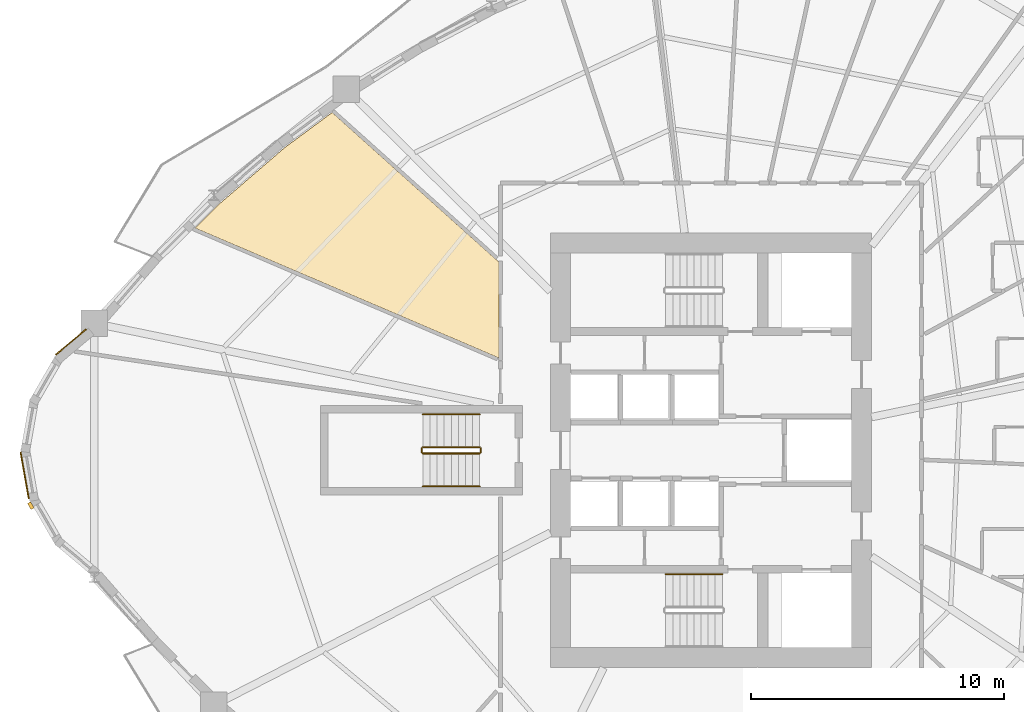
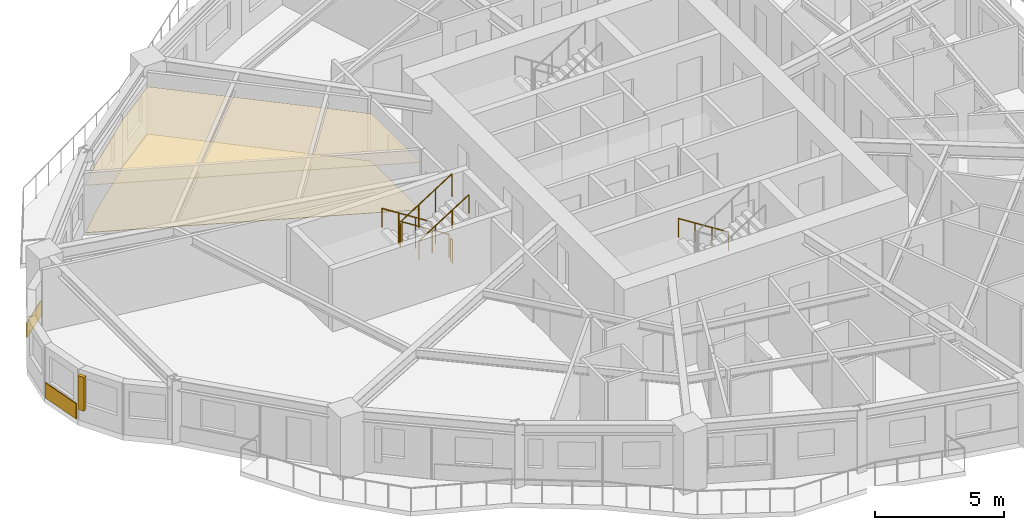
# One storey, part 11 of 14: 7 railings, 4 coverings, 1 shading device.
"""IFC4 building model written with IfcOpenShell, lengths in metres."""

import ifcopenshell
import ifcopenshell.guid

model = None  # the IFC model being written
_history = None  # IfcOwnerHistory: only IFC2X3 demands one
_inside = {}  # id of a spatial element -> (the spatial element, [elements in it])
_under = {}  # id of a project, library or spatial element -> (it, [spatial elements below it])
_declared = {}  # id of a project -> (the project, [libraries it declares])
_typed = {}  # id of a type object -> (the type object, [elements of that type])
_made_of = {}  # id of a material, layer set ... -> (it, [elements and type objects made of it])


def new_model(schema):
    """Start an empty IFC model of exactly this schema.

    Asked for "IFC4X3", IfcOpenShell would pick the latest addendum, in which some entities
    have other attributes; the version numbers below select the first issue.
    IFC2X3 requires an IfcOwnerHistory on every rooted entity: one is made here for all.
    """
    global model, _history
    if schema == "IFC4X3":
        model = ifcopenshell.file(schema_version=(4, 3, 0, 0))
    else:
        model = ifcopenshell.file(schema=schema)
    _inside.clear()
    _under.clear()
    _declared.clear()
    _typed.clear()
    _made_of.clear()
    _history = None
    if model.schema == "IFC2X3":
        org = make("IfcOrganization", Name="unknown")
        user = make(
            "IfcPersonAndOrganization",
            ThePerson=make("IfcPerson", FamilyName="unknown"),
            TheOrganization=org,
        )
        app = make(
            "IfcApplication",
            ApplicationDeveloper=org,
            Version="unknown",
            ApplicationFullName="unknown",
            ApplicationIdentifier="unknown",
        )
        _history = make(
            "IfcOwnerHistory",
            OwningUser=user,
            OwningApplication=app,
            ChangeAction="ADDED",
            CreationDate=0,
        )
    return model


def make(cls, **values):
    """One entity of the class cls with the attributes given. An attribute that is None is left unset."""
    return model.create_entity(
        cls, **{name: value for name, value in values.items() if value is not None}
    )


def rooted(cls, **values):
    """An entity with a GlobalId (a new one), such as an element, a storey or a relation."""
    return make(cls, GlobalId=ifcopenshell.guid.new(), OwnerHistory=_history, **values)


def si_unit(unit_type, name, prefix=None):
    """IfcSIUnit, for example si_unit("LENGTHUNIT", "METRE", prefix="MILLI")."""
    return make("IfcSIUnit", UnitType=unit_type, Prefix=prefix, Name=name)


def assignment(units):
    """IfcUnitAssignment: the units of a project."""
    return None if units is None else make("IfcUnitAssignment", Units=units)


def point(xyz):
    """IfcCartesianPoint."""
    return None if xyz is None else make("IfcCartesianPoint", Coordinates=xyz)


def direction(xyz):
    """IfcDirection."""
    return None if xyz is None else make("IfcDirection", DirectionRatios=xyz)


def frame(location, z_axis=None, x_axis=None):
    """IfcAxis2Placement3D, a coordinate frame: its origin and axes. An axis left out is left unset."""
    return make(
        "IfcAxis2Placement3D",
        Location=point(location),
        Axis=direction(z_axis),
        RefDirection=direction(x_axis),
    )


def frame_2d(location, x_axis=None):
    """IfcAxis2Placement2D, a coordinate frame in the plane: its origin and x axis."""
    return make(
        "IfcAxis2Placement2D", Location=point(location), RefDirection=direction(x_axis)
    )


def origin():
    """The frame at (0, 0, 0) with its axes left unset."""
    return frame((0.0, 0.0, 0.0))


def origin_2d():
    """The frame at (0, 0) in the plane with its x axis left unset."""
    return frame_2d((0.0, 0.0))


def place(relative_to, where):
    """IfcLocalPlacement: puts the frame where relative to a parent placement (None: the world)."""
    return make(
        "IfcLocalPlacement", PlacementRelTo=relative_to, RelativePlacement=where
    )


def context(
    kind, dimensions, precision=None, world=None, true_north=None, identifier=None
):
    """IfcGeometricRepresentationContext, for example the 3D "Model" context."""
    return make(
        "IfcGeometricRepresentationContext",
        ContextIdentifier=identifier,
        ContextType=kind,
        CoordinateSpaceDimension=dimensions,
        Precision=precision,
        WorldCoordinateSystem=world,
        TrueNorth=true_north,
    )


def subcontext(parent, identifier, kind, view, scale=None):
    """IfcGeometricRepresentationSubContext, for example "Body" below "Model"."""
    return make(
        "IfcGeometricRepresentationSubContext",
        ContextIdentifier=identifier,
        ContextType=kind,
        ParentContext=parent,
        TargetScale=scale,
        TargetView=view,
    )


def project(units=None, contexts=None):
    """IfcProject with its units and contexts."""
    return rooted(
        "IfcProject",
        Name="project",
        RepresentationContexts=contexts,
        UnitsInContext=assignment(units),
    )


def spatial(cls, under=None, at=None, **own):
    """A site, building, storey or space (cls), placed at a placement, below another one or the project."""
    s = rooted(cls, ObjectPlacement=at, **own)
    if under is not None:
        _under.setdefault(under.id(), (under, []))[1].append(s)
    return s


def polyline(points):
    """IfcPolyline through the points."""
    return make("IfcPolyline", Points=[point(p) for p in points])


def profile(cls, at=None, kind="AREA", **sizes):
    """A parametric profile (cls). Its sizes go by their IFC names, for example OverallWidth=200.0."""
    return make(cls, ProfileType=kind, Position=at, **sizes)


def rectangle(**sizes):
    """IfcRectangleProfileDef."""
    return profile("IfcRectangleProfileDef", **sizes)


def circle(**sizes):
    """IfcCircleProfileDef."""
    return profile("IfcCircleProfileDef", **sizes)


def outline(outer, holes=None, kind="AREA"):
    """IfcArbitraryClosedProfileDef: a profile drawn as a closed curve; with holes, ...WithVoids."""
    if holes is None:
        return make("IfcArbitraryClosedProfileDef", ProfileType=kind, OuterCurve=outer)
    return make(
        "IfcArbitraryProfileDefWithVoids",
        ProfileType=kind,
        OuterCurve=outer,
        InnerCurves=holes,
    )


def extrude(swept, where, along, depth):
    """IfcExtrudedAreaSolid: the profile swept, set in the frame where, extruded along a direction by depth."""
    return make(
        "IfcExtrudedAreaSolid",
        SweptArea=swept,
        Position=where,
        ExtrudedDirection=direction(along),
        Depth=depth,
    )


def shape(context_of_items, identifier, shape_type, items):
    """IfcShapeRepresentation: the items that make up one representation, for example the "Body"."""
    return make(
        "IfcShapeRepresentation",
        ContextOfItems=context_of_items,
        RepresentationIdentifier=identifier,
        RepresentationType=shape_type,
        Items=items,
    )


def source(mapping_origin, context_of_items, identifier, shape_type, items):
    """IfcRepresentationMap: a shape defined once, which mapped items show again and again."""
    return make(
        "IfcRepresentationMap",
        MappingOrigin=mapping_origin,
        MappedRepresentation=shape(context_of_items, identifier, shape_type, items),
    )


def transform(
    local_origin,
    x_axis=None,
    y_axis=None,
    z_axis=None,
    scale=None,
    scale2=None,
    scale3=None,
    uniform=True,
):
    """IfcCartesianTransformationOperator3D, or its non-uniform kind. x_axis, y_axis, z_axis: its Axis1, 2, 3."""
    if uniform:
        return make(
            "IfcCartesianTransformationOperator3D",
            Axis1=direction(x_axis),
            Axis2=direction(y_axis),
            LocalOrigin=point(local_origin),
            Scale=scale,
            Axis3=direction(z_axis),
        )
    return make(
        "IfcCartesianTransformationOperator3DnonUniform",
        Axis1=direction(x_axis),
        Axis2=direction(y_axis),
        LocalOrigin=point(local_origin),
        Scale=scale,
        Axis3=direction(z_axis),
        Scale2=scale2,
        Scale3=scale3,
    )


def mapped(mapping_source, mapping_target):
    """IfcMappedItem: shows the shape of a source again, moved by a transform."""
    return make(
        "IfcMappedItem", MappingSource=mapping_source, MappingTarget=mapping_target
    )


def material(Name=None, Category=None):
    """IfcMaterial."""
    return make("IfcMaterial", Name=Name, Category=Category)


def layer(
    of_material, thickness, ventilated=None, Name=None, Category=None, Priority=None
):
    """IfcMaterialLayer: one layer of a wall or slab, of a material (None: an air gap)."""
    return make(
        "IfcMaterialLayer",
        Material=of_material,
        LayerThickness=thickness,
        IsVentilated=ventilated,
        Name=Name,
        Category=Category,
        Priority=Priority,
    )


def layer_set(layers, Name=None):
    """IfcMaterialLayerSet."""
    return make("IfcMaterialLayerSet", MaterialLayers=layers, LayerSetName=Name)


def made_of(thing, what):
    """Note that an element or type object is made of a material, layer set ...; save() writes the relation."""
    if what is not None:
        _made_of.setdefault(what.id(), (what, []))[1].append(thing)
    return thing


def type_object(cls, material=None, **own):
    """A type object (cls), such as IfcWallType, which elements share."""
    return made_of(rooted(cls, **own), material)


def element(
    cls,
    number,
    at=None,
    inside=None,
    cuts=None,
    type_object=None,
    material=None,
    context=None,
    identifier="Body",
    shape_type=None,
    held_by="IfcProductDefinitionShape",
    body=None,
    shapes=None,
    **own,
):
    """One element of the class cls, such as IfcWall. Its Tag is "e" and its number.

    at: its placement. inside: the storey or other place that contains it. cuts: it is an
    opening in that element (IfcRelVoidsElement). A single representation is given by context,
    identifier, shape_type and body (its items); several are given by shapes. held_by: the class
    of the entity that holds the representations. save() writes the other relations.
    """
    e = rooted(cls, Tag="e%d" % number, ObjectPlacement=at, **own)
    if body is not None:
        shapes = [shape(context, identifier, shape_type, body)]
    if shapes is not None:
        e.Representation = make(held_by, Representations=shapes)
    if inside is not None:
        _inside.setdefault(inside.id(), (inside, []))[1].append(e)
    if cuts is not None:
        rooted(
            "IfcRelVoidsElement", RelatingBuildingElement=cuts, RelatedOpeningElement=e
        )
    if type_object is not None:
        _typed.setdefault(type_object.id(), (type_object, []))[1].append(e)
    return made_of(e, material)


def aggregate(whole, parts):
    """IfcRelAggregates: a whole, such as a stair, and the parts it consists of."""
    return rooted("IfcRelAggregates", RelatingObject=whole, RelatedObjects=parts)


def save(model, path):
    """Write the relations noted so far, then the file.

    IfcRelAggregates (storeys below a building ...), IfcRelContainedInSpatialStructure (elements
    in a storey), IfcRelDefinesByType, IfcRelAssociatesMaterial and IfcRelDeclares: one each for
    every whole, place, type object, material and project.
    """
    for whole, parts in _under.values():
        aggregate(whole, parts)
    for where, things in _inside.values():
        rooted(
            "IfcRelContainedInSpatialStructure",
            RelatedElements=things,
            RelatingStructure=where,
        )
    for kind, things in _typed.values():
        rooted("IfcRelDefinesByType", RelatedObjects=things, RelatingType=kind)
    for what, things in _made_of.values():
        rooted("IfcRelAssociatesMaterial", RelatedObjects=things, RelatingMaterial=what)
    for by, libraries in _declared.values():
        rooted("IfcRelDeclares", RelatingContext=by, RelatedDefinitions=libraries)
    model.write(path)


model = new_model("IFC4")

# Units and contexts
model_context = context("Model", 3, precision=1e-05, world=origin(), true_north=direction((0.0, 1.0)))
body_context = subcontext(model_context, "Body", "Model", "MODEL_VIEW")
ifc_project = project(units=[si_unit("LENGTHUNIT", "METRE"), si_unit("AREAUNIT", "SQUARE_METRE"), si_unit("VOLUMEUNIT", "CUBIC_METRE"), si_unit("PLANEANGLEUNIT", "RADIAN"), si_unit("MASSUNIT", "GRAM", prefix="KILO")], contexts=[model_context])

# Site, building, storey
site_placement = place(None, origin())
site = spatial("IfcSite", under=ifc_project, at=site_placement, CompositionType="ELEMENT")
building_placement = place(site_placement, origin())
building = spatial("IfcBuilding", under=site, at=building_placement, Name="Qafzar Sky-Pleat Residences", CompositionType="ELEMENT")
storey_placement = place(building_placement, frame((0.0, 0.0, 20.60009765625)))
storey = spatial("IfcBuildingStorey", under=building, at=storey_placement, Name="L05", CompositionType="ELEMENT", Elevation=20.60009765625)

# Coverings
ifc_material_1 = material(Name="Perforated acoustic gypsum board ceiling")
ifc_layer_1 = layer(ifc_material_1, 0.02001953125)
ifc_layer_set_1 = layer_set([ifc_layer_1], Name="Perforated acoustic gypsum board ceiling")
covering_type_1 = type_object("IfcCoveringType", Name="COV-CEIL-ACOUSTIC", PredefinedType="CEILING", material=ifc_layer_set_1)
covering_1_placement = place(storey_placement, frame((0.0, 0.0, 2.239990234375)))
element("IfcCovering", 1, at=covering_1_placement, inside=storey, type_object=covering_type_1, Name="L05 Co-Living Lounge Acoustic Ceiling", PredefinedType="CEILING", context=body_context, shape_type="SweptSolid", body=[
    extrude(outline(polyline([(13.4970703125, 37.975830078125), (15.369140625, 39.361328125), (21.9599609375, 33.447509765625), (21.9599609375, 29.652587890625), (9.95361328125, 34.7861328125), (10.96240234375, 35.79150390625), (13.4970703125, 37.975830078125)])), origin(), (0.0, 0.0, 1.0), 0.02001953125),
])
ifc_material_2 = material(Name="Honed porcelain and Riyadh stone tile flooring", Category="masonry")
ifc_layer_2 = layer(ifc_material_2, 0.02001953125)
ifc_layer_set_2 = layer_set([ifc_layer_2], Name="Honed porcelain and Riyadh stone tile flooring")
covering_type_2 = type_object("IfcCoveringType", Name="COV-FLR-PORCELAIN", PredefinedType="FLOORING", material=ifc_layer_set_2)
covering_2_placement = place(storey_placement, origin())
element("IfcCovering", 2, at=covering_2_placement, inside=storey, type_object=covering_type_2, Name="L05 Co-Living Lounge Honed Stone Flooring", PredefinedType="FLOORING", context=body_context, shape_type="SweptSolid", body=[
    extrude(outline(polyline([(13.4970703125, 37.975830078125), (15.369140625, 39.361328125), (21.9599609375, 33.447509765625), (21.9599609375, 29.652587890625), (9.95361328125, 34.7861328125), (10.96240234375, 35.79150390625), (13.4970703125, 37.975830078125)])), origin(), (0.0, 0.0, 1.0), 0.02001953125),
])
ifc_material_3 = material(Name="Honed Riyadh Tuwaiq limestone cladding", Category="masonry")
ifc_layer_3 = layer(ifc_material_3, 0.044921875)
ifc_layer_set_3 = layer_set([ifc_layer_3], Name="Honed Riyadh Tuwaiq limestone cladding")
covering_type_3 = type_object("IfcCoveringType", Name="COV-CLAD-STONE", PredefinedType="CLADDING", material=ifc_layer_set_3)
shared_shape_1 = source(origin(), body_context, "Body", "SweptSolid", [
    extrude(rectangle(XDim=1.5771484375, YDim=0.044921875, at=origin_2d()), origin(), (0.0, 0.0, 1.0), 0.719970703125),
])
covering_3_placement = place(storey_placement, frame((5.039794921875, 30.28369140625, 0.02001953125), z_axis=(0.0, 0.0, 1.0), x_axis=(-0.766074606481, -0.642751660678, 0.0)))
element("IfcCovering", 3, at=covering_3_placement, inside=storey, type_object=covering_type_3, Name="L05 Riyadh Limestone Spandrel Cladding 1", PredefinedType="CLADDING", context=body_context, shape_type="MappedRepresentation", body=[
    mapped(shared_shape_1, transform((0.0, 0.0, 0.0), x_axis=(1.0, 0.0, 0.0), y_axis=(0.0, 1.0, 0.0), z_axis=(0.0, 0.0, 1.0), scale=1.0)),
])

# Shading device
ifc_material_4 = material(Name="Honed Riyadh limestone solar fin", Category="masonry")
ifc_layer_4 = layer(ifc_material_4, 0.139892578125)
ifc_layer_set_4 = layer_set([ifc_layer_4], Name="Honed Riyadh limestone solar fin")
shading_device_type = type_object("IfcShadingDeviceType", Name="SHD-FIN-STONE", PredefinedType="SHUTTER", material=ifc_layer_set_4)
shared_shape_2 = source(origin(), body_context, "Body", "SweptSolid", [
    extrude(rectangle(XDim=0.139892578125, YDim=0.280029296875, at=origin_2d()), origin(), (0.0, 0.0, 1.0), 1.60009765625),
])
shading_device_placement = place(storey_placement, frame((3.44970703125, 23.80859375, 0.599853515625), z_axis=(0.0, 0.0, 1.0), x_axis=(-0.86604422228, -0.499967403994, 0.0)))
element("IfcShadingDevice", 4, at=shading_device_placement, inside=storey, type_object=shading_device_type, Name="L05 Limestone Solar Fin 5", PredefinedType="SHUTTER", context=body_context, shape_type="MappedRepresentation", body=[
    mapped(shared_shape_2, transform((0.0, 0.0, 0.0), x_axis=(1.0, 0.0, 0.0), y_axis=(0.0, 1.0, 0.0), z_axis=(0.0, 0.0, 1.0), scale=1.0)),
])

# Covering
shared_shape_3 = source(origin(), body_context, "Body", "SweptSolid", [
    extrude(rectangle(XDim=1.88134765625, YDim=0.044921875, at=origin_2d()), origin(), (0.0, 0.0, 1.0), 0.719970703125),
])
covering_4_placement = place(storey_placement, frame((3.208251953125, 25.00439453125, 0.02001953125), z_axis=(0.0, 0.0, 1.0), x_axis=(0.173662519465, -0.984805224059, 0.0)))
element("IfcCovering", 5, at=covering_4_placement, inside=storey, type_object=covering_type_3, Name="L05 Riyadh Limestone Spandrel Cladding 4", PredefinedType="CLADDING", context=body_context, shape_type="MappedRepresentation", body=[
    mapped(shared_shape_3, transform((0.0, 0.0, 0.0), x_axis=(1.0, 0.0, 0.0), y_axis=(0.0, 1.0, 0.0), z_axis=(0.0, 0.0, 1.0), scale=1.0)),
])

# Railings
ifc_material_5 = material(Name="Painted Steel S355 stair guardrail", Category="steel")
railing_type_1 = type_object("IfcRailingType", Name="RAIL-STAIR-GUARD", PredefinedType="GUARDRAIL", material=ifc_material_5)
shared_shape_4 = source(origin(), body_context, "Body", "SweptSolid", [
    extrude(circle(Radius=0.02392578125, at=origin_2d()), frame((0.0, 0.0, 1.076171875), z_axis=(0.0, -1.0, 0.0), x_axis=(1.0, 0.0, 0.0)), (0.0, 0.0, 1.0), 0.14990234375),
    extrude(circle(Radius=0.02099609375, at=origin_2d()), origin(), (0.0, 0.0, 1.0), 1.052001953125),
    extrude(circle(Radius=0.02099609375, at=origin_2d()), frame((0.0, -0.14990234375, 0.0)), (0.0, 0.0, 1.0), 1.052001953125),
])
for number, where, name in (
    (6, (18.909912109375, 26.074951171875, 1.599853515625), "L05 ST3 stair guard 2"),
    (7, (21.25, 26.074951171875, 0.0), "L05 ST3 stair guard 4"),
):
    element("IfcRailing", number, at=place(storey_placement, frame(where)), inside=storey, type_object=railing_type_1, Name=name, PredefinedType="GUARDRAIL", context=body_context, shape_type="MappedRepresentation", body=[
        mapped(shared_shape_4, transform((0.0, 0.0, 0.0), x_axis=(1.0, 0.0, 0.0), y_axis=(0.0, 1.0, 0.0), z_axis=(0.0, 0.0, 1.0), scale=1.0)),
    ])
shared_shape_5 = source(origin(), body_context, "Body", "SweptSolid", [
    extrude(circle(Radius=0.02392578125, at=origin_2d()), frame((0.0, 0.0, 1.076171875), z_axis=(-0.8442293374, 0.0, 0.53598211339), x_axis=(0.0, -1.0, 0.0)), (0.0, 0.0, 1.0), 2.6533203125),
    extrude(circle(Radius=0.02099609375, at=origin_2d()), origin(), (0.0, 0.0, 1.0), 1.052001953125),
    extrude(circle(Radius=0.02099609375, at=origin_2d()), frame((-0.74658203125, 0.0, 0.47412109375)), (0.0, 0.0, 1.0), 1.052001953125),
    extrude(circle(Radius=0.02099609375, at=origin_2d()), frame((-1.493408203125, 0.0, 0.947998046875)), (0.0, 0.0, 1.0), 1.052001953125),
    extrude(circle(Radius=0.02099609375, at=origin_2d()), frame((-2.239990234375, 0.0, 1.422119140625)), (0.0, 0.0, 1.0), 1.052001953125),
])
railing_1_placement = place(storey_placement, frame((21.199951171875, 26.125, 0.177734375)))
element("IfcRailing", 8, at=railing_1_placement, inside=storey, type_object=railing_type_1, Name="L05 ST3 stair guard 1", PredefinedType="GUARDRAIL", context=body_context, shape_type="MappedRepresentation", body=[
    mapped(shared_shape_5, transform((0.0, 0.0, 0.0), x_axis=(1.0, 0.0, 0.0), y_axis=(0.0, 1.0, 0.0), z_axis=(0.0, 0.0, 1.0), scale=1.0)),
])
ifc_material_6 = material(Name="Brushed stainless steel handrail", Category="steel")
railing_type_2 = type_object("IfcRailingType", Name="RAIL-STAIR-HAND", PredefinedType="HANDRAIL", material=ifc_material_6)
shared_shape_6 = source(origin(), body_context, "Body", "SweptSolid", [
    extrude(circle(Radius=0.02392578125, at=origin_2d()), frame((0.0, 0.0, 0.8759765625), z_axis=(-0.8442293374, 0.0, 0.53598211339), x_axis=(0.0, -1.0, 0.0)), (0.0, 0.0, 1.0), 2.6533203125),
    extrude(circle(Radius=0.02099609375, at=origin_2d()), origin(), (0.0, 0.0, 1.0), 0.851806640625),
    extrude(circle(Radius=0.02099609375, at=origin_2d()), frame((-0.74658203125, 0.0, 0.47412109375)), (0.0, 0.0, 1.0), 0.851806640625),
    extrude(circle(Radius=0.02099609375, at=origin_2d()), frame((-1.493408203125, 0.0, 0.947998046875)), (0.0, 0.0, 1.0), 0.851806640625),
    extrude(circle(Radius=0.02099609375, at=origin_2d()), frame((-2.239990234375, 0.0, 1.422119140625)), (0.0, 0.0, 1.0), 0.851806640625),
])
for number, where, name in (
    (9, (30.800048828125, 21.10009765625, 0.177734375), "L05 ST1 stair handrail 1"),
    (10, (21.199951171875, 27.425048828125, 0.177734375), "L05 ST3 stair handrail 1"),
):
    element("IfcRailing", number, at=place(storey_placement, frame(where)), inside=storey, type_object=railing_type_2, Name=name, PredefinedType="HANDRAIL", context=body_context, shape_type="MappedRepresentation", body=[
        mapped(shared_shape_6, transform((0.0, 0.0, 0.0), x_axis=(1.0, 0.0, 0.0), y_axis=(0.0, 1.0, 0.0), z_axis=(0.0, 0.0, 1.0), scale=1.0)),
    ])
shared_shape_7 = source(origin(), body_context, "Body", "SweptSolid", [
    extrude(circle(Radius=0.02392578125, at=origin_2d()), frame((0.0, 0.0, 1.076171875), z_axis=(0.84418770128, 0.0, 0.536047689118), x_axis=(0.0, 1.0, 0.0)), (0.0, 0.0, 1.0), 2.6533203125),
    extrude(circle(Radius=0.02099609375, at=origin_2d()), origin(), (0.0, 0.0, 1.0), 1.052001953125),
    extrude(circle(Radius=0.02099609375, at=origin_2d()), frame((0.74658203125, 0.0, 0.47412109375)), (0.0, 0.0, 1.0), 1.052001953125),
    extrude(circle(Radius=0.02099609375, at=origin_2d()), frame((1.493408203125, 0.0, 0.9482421875)), (0.0, 0.0, 1.0), 1.052001953125),
    extrude(circle(Radius=0.02099609375, at=origin_2d()), frame((2.239990234375, 0.0, 1.42236328125)), (0.0, 0.0, 1.0), 1.052001953125),
])
railing_2_placement = place(storey_placement, frame((18.9599609375, 25.875, 1.777587890625)))
element("IfcRailing", 11, at=railing_2_placement, inside=storey, type_object=railing_type_1, Name="L05 ST3 stair guard 3", PredefinedType="GUARDRAIL", context=body_context, shape_type="MappedRepresentation", body=[
    mapped(shared_shape_7, transform((0.0, 0.0, 0.0), x_axis=(1.0, 0.0, 0.0), y_axis=(0.0, 1.0, 0.0), z_axis=(0.0, 0.0, 1.0), scale=1.0)),
])
shared_shape_8 = source(origin(), body_context, "Body", "SweptSolid", [
    extrude(circle(Radius=0.02392578125, at=origin_2d()), frame((0.0, 0.0, 0.8759765625), z_axis=(0.84418770128, 0.0, 0.536047689118), x_axis=(0.0, 1.0, 0.0)), (0.0, 0.0, 1.0), 2.6533203125),
    extrude(circle(Radius=0.02099609375, at=origin_2d()), origin(), (0.0, 0.0, 1.0), 0.851806640625),
    extrude(circle(Radius=0.02099609375, at=origin_2d()), frame((0.74658203125, 0.0, 0.47412109375)), (0.0, 0.0, 1.0), 0.851806640625),
    extrude(circle(Radius=0.02099609375, at=origin_2d()), frame((1.493408203125, 0.0, 0.9482421875)), (0.0, 0.0, 1.0), 0.851806640625),
    extrude(circle(Radius=0.02099609375, at=origin_2d()), frame((2.239990234375, 0.0, 1.42236328125)), (0.0, 0.0, 1.0), 0.851806640625),
])
railing_3_placement = place(storey_placement, frame((18.9599609375, 24.574951171875, 1.777587890625)))
element("IfcRailing", 12, at=railing_3_placement, inside=storey, type_object=railing_type_2, Name="L05 ST3 stair handrail 2", PredefinedType="HANDRAIL", context=body_context, shape_type="MappedRepresentation", body=[
    mapped(shared_shape_8, transform((0.0, 0.0, 0.0), x_axis=(1.0, 0.0, 0.0), y_axis=(0.0, 1.0, 0.0), z_axis=(0.0, 0.0, 1.0), scale=1.0)),
])

save(model, "model.ifc")
